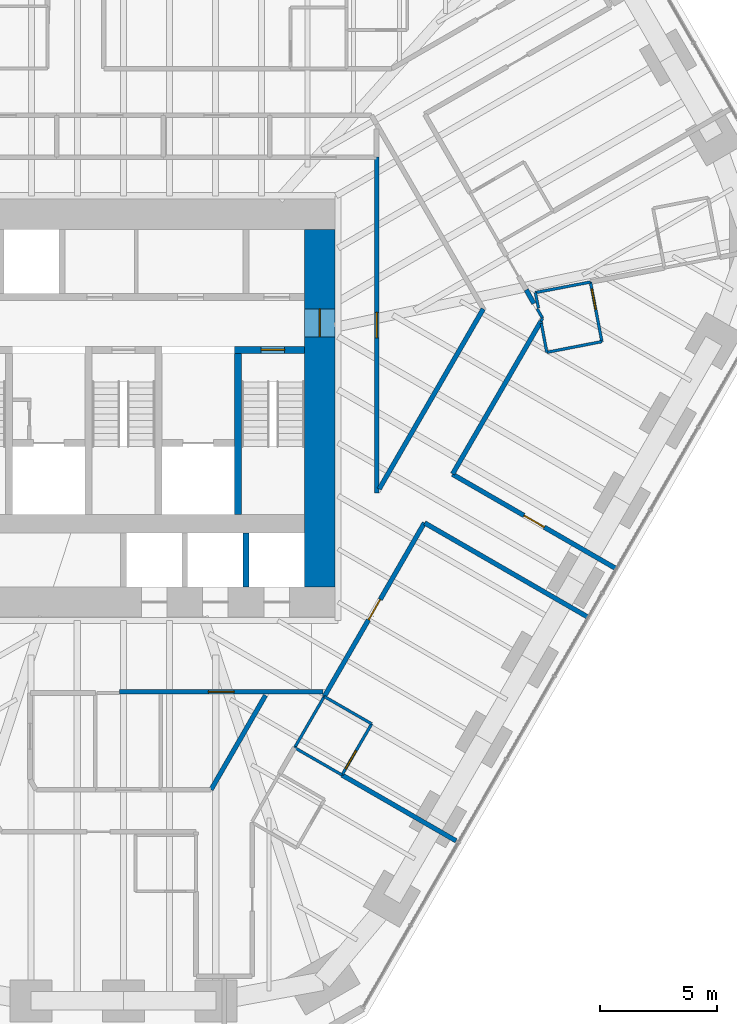
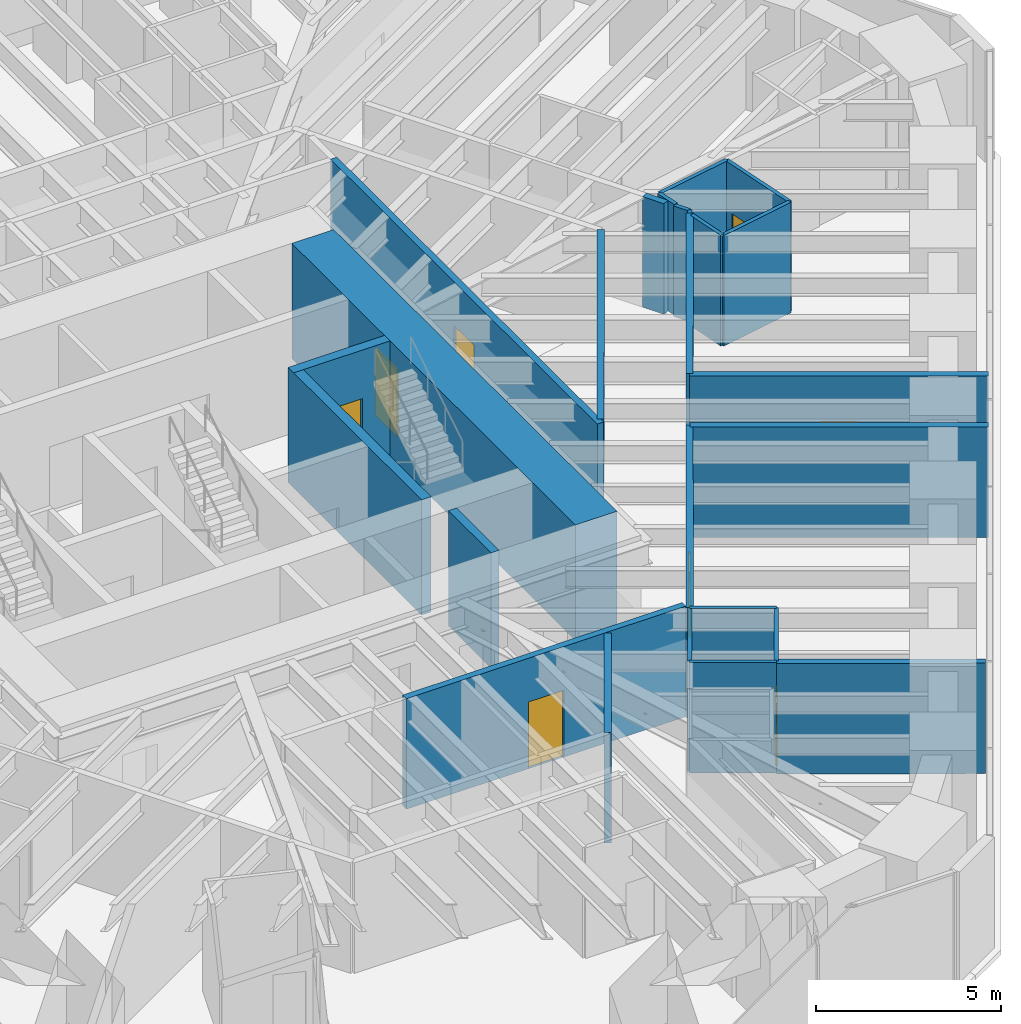
# One storey, part 13 of 17: 25 walls, 8 doors, 8 openings.
"""IFC4 building model written with IfcOpenShell, lengths in metres."""

from ifc_helpers import new_model, si_unit, direction, frame, frame_2d, origin, place, context, subcontext, project, spatial, rectangle, extrude, material, layer, layer_set, type_object, element, fill, save


model = new_model("IFC4")

# Units and contexts
model_context = context("Model", 3, precision=1e-05, world=origin(), true_north=direction((0.0, 1.0)))
body_context = subcontext(model_context, "Body", "Model", "MODEL_VIEW")
ifc_project = project(units=[si_unit("LENGTHUNIT", "METRE"), si_unit("AREAUNIT", "SQUARE_METRE"), si_unit("VOLUMEUNIT", "CUBIC_METRE"), si_unit("PLANEANGLEUNIT", "RADIAN"), si_unit("MASSUNIT", "GRAM", prefix="KILO")], contexts=[model_context])

# Site, building, storey
site_placement = place(None, origin())
site = spatial("IfcSite", under=ifc_project, at=site_placement, CompositionType="ELEMENT")
building_placement = place(site_placement, origin())
building = spatial("IfcBuilding", under=site, at=building_placement, Name="Sandreach Pilgrim Tower", CompositionType="ELEMENT")
storey_placement = place(building_placement, frame((0.0, 0.0, 138.60009765625)))
storey = spatial("IfcBuildingStorey", under=building, at=storey_placement, Name="L34", CompositionType="ELEMENT", Elevation=138.60009765625)

# Walls
ifc_material_1 = material(Name="Moisture-resistant gypsum board on steel studs", Category="steel")
ifc_layer_1 = layer(ifc_material_1, 0.1201171875)
ifc_layer_set_1 = layer_set([ifc_layer_1], Name="Bathroom partition 120")
wall_type_1 = type_object("IfcWallType", Name="Bathroom partition 120", PredefinedType="PARTITIONING", material=ifc_layer_set_1)
wall_1_placement = place(storey_placement, frame((7.330078125, -16.090087890625, 0.0), z_axis=(0.0, 0.0, 1.0), x_axis=(0.501632941931, 0.865080569409, 0.0)))
element("IfcWall", 1, at=wall_1_placement, inside=storey, type_object=wall_type_1, Name="Bathroom partition L34-101", PredefinedType="PARTITIONING", context=body_context, shape_type="SweptSolid", body=[
    extrude(rectangle(XDim=2.53173828125, YDim=0.1201171875, at=frame_2d((1.265869140625, 0.0))), origin(), (0.0, 0.0, 1.0), 3.639892578125),
])
wall_2_placement = place(storey_placement, frame((7.330078125, -16.090087890625, 0.0), z_axis=(0.0, 0.0, 1.0), x_axis=(0.866202934772, -0.499692381163, 0.0)))
element("IfcWall", 2, at=wall_2_placement, inside=storey, type_object=wall_type_1, Name="Bathroom partition L34-102", PredefinedType="PARTITIONING", context=body_context, shape_type="SweptSolid", body=[
    extrude(rectangle(XDim=2.3427734375, YDim=0.1201171875, at=frame_2d((1.17138671875, 0.0))), origin(), (0.0, 0.0, 1.0), 3.639892578125),
])

# Wall, opening, door
wall_3_placement = place(storey_placement, frame((9.360107421875, -17.260009765625, 0.0), z_axis=(0.0, 0.0, 1.0), x_axis=(0.501602618681, 0.865098152196, 0.0)))
wall_3 = element("IfcWall", 3, at=wall_3_placement, inside=storey, type_object=wall_type_1, Name="Bathroom partition L34-108", PredefinedType="PARTITIONING", context=body_context, shape_type="SweptSolid", body=[
    extrude(rectangle(XDim=2.531494140625, YDim=0.1201171875, at=frame_2d((1.265625, 0.0))), origin(), (0.0, 0.0, 1.0), 3.639892578125),
])
opening_1_placement = place(wall_3_placement, frame((0.300048828125, 0.0, 0.0)))
opening_1 = element("IfcOpeningElement", 4, at=opening_1_placement, cuts=wall_3, Name="Opening D09-08B", PredefinedType="OPENING", context=body_context, shape_type="SweptSolid", body=[
    extrude(rectangle(XDim=0.89990234375, YDim=2.030029296875, at=frame_2d((0.449951171875, 1.01513671875))), frame((0.0, 0.06005859375, 0.0), z_axis=(0.0, -1.0, 0.0), x_axis=(1.0, 0.0, 0.0)), (0.0, 0.0, 1.0), 0.1201171875),
])
ifc_material_2 = material(Name="Timber door, steel frame", Category="steel")
door_type_1 = type_object("IfcDoorType", Name="Bathroom door", OperationType="SINGLE_SWING_LEFT", PredefinedType="DOOR", material=ifc_material_2)
door_1_placement = place(opening_1_placement, origin())
door_1 = element("IfcDoor", 5, at=door_1_placement, inside=storey, type_object=door_type_1, Name="Door 3408B", OperationType="SINGLE_SWING_LEFT", OverallHeight=2.030029296875, OverallWidth=0.89990234375, PredefinedType="DOOR", context=body_context, shape_type="SweptSolid", body=[
    extrude(rectangle(XDim=0.89990234375, YDim=2.030029296875, at=frame_2d((0.449951171875, 1.01513671875))), frame((0.0, 0.02490234375, 0.0), z_axis=(0.0, -1.0, 0.0), x_axis=(1.0, 0.0, 0.0)), (0.0, 0.0, 1.0), 0.050048828125),
])
fill(opening_1, door_1)

# Walls
wall_4_placement = place(storey_placement, frame((10.6298828125, -15.070068359375, 0.0), z_axis=(0.0, 0.0, 1.0), x_axis=(-0.866345142729, 0.499445786517, 0.0)))
element("IfcWall", 6, at=wall_4_placement, inside=storey, type_object=wall_type_1, Name="Bathroom partition L34-117", PredefinedType="PARTITIONING", context=body_context, shape_type="SweptSolid", body=[
    extrude(rectangle(XDim=2.343017578125, YDim=0.1201171875, at=frame_2d((1.17138671875, 0.0))), origin(), (0.0, 0.0, 1.0), 3.639892578125),
])
wall_5_placement = place(storey_placement, frame((17.639892578125, 3.39990234375, 0.0), z_axis=(0.0, 0.0, 1.0), x_axis=(0.982288725898, 0.187373581313, 0.0)))
element("IfcWall", 7, at=wall_5_placement, inside=storey, type_object=wall_type_1, Name="Bathroom partition L34-135", PredefinedType="PARTITIONING", context=body_context, shape_type="SweptSolid", body=[
    extrude(rectangle(XDim=2.402587890625, YDim=0.1201171875, at=frame_2d((1.201171875, 0.0))), origin(), (0.0, 0.0, 1.0), 3.639892578125),
])
wall_6_placement = place(storey_placement, frame((17.719970703125, 2.699951171875, 0.0), z_axis=(0.0, 0.0, 1.0), x_axis=(0.498530782172, -0.866871997025, 0.0)))
element("IfcWall", 8, at=wall_6_placement, inside=storey, type_object=wall_type_1, Name="Bathroom partition L34-136", PredefinedType="PARTITIONING", context=body_context, shape_type="SweptSolid", body=[
    extrude(rectangle(XDim=0.46142578125, YDim=0.1201171875, at=frame_2d((0.230712890625, 0.0))), origin(), (0.0, 0.0, 1.0), 3.639892578125),
])
wall_7_placement = place(storey_placement, frame((17.773681640625, 2.7314453125, 0.0), z_axis=(0.0, 0.0, 1.0), x_axis=(-0.196253874553, 0.980553117747, 0.0)))
element("IfcWall", 9, at=wall_7_placement, inside=storey, type_object=wall_type_1, Name="Bathroom partition L34-137", PredefinedType="PARTITIONING", context=body_context, shape_type="SweptSolid", body=[
    extrude(rectangle(XDim=0.681640625, YDim=0.1201171875, at=frame_2d((0.3408203125, 0.0))), origin(), (0.0, 0.0, 1.0), 3.639892578125),
])
wall_8_placement = place(storey_placement, frame((17.8798828125, 2.169921875, 0.0), z_axis=(0.0, 0.0, 1.0), x_axis=(0.474099823035, 0.880471099922, 0.0)))
element("IfcWall", 10, at=wall_8_placement, inside=storey, type_object=wall_type_1, Name="Bathroom partition L34-138", PredefinedType="PARTITIONING", context=body_context, shape_type="SweptSolid", body=[
    extrude(rectangle(XDim=0.147705078125, YDim=0.1201171875, at=frame_2d((0.07373046875, 0.0))), origin(), (0.0, 0.0, 1.0), 3.639892578125),
])
wall_9_placement = place(storey_placement, frame((17.896728515625, 2.08154296875, 0.0), z_axis=(0.0, 0.0, 1.0), x_axis=(0.184580266957, -0.982817442382, 0.0)))
element("IfcWall", 11, at=wall_9_placement, inside=storey, type_object=wall_type_1, Name="Bathroom partition L34-139", PredefinedType="PARTITIONING", context=body_context, shape_type="SweptSolid", body=[
    extrude(rectangle(XDim=1.26318359375, YDim=0.1201171875, at=frame_2d((0.631591796875, 0.0))), origin(), (0.0, 0.0, 1.0), 3.639892578125),
])
wall_10_placement = place(storey_placement, frame((18.1298828125, 0.840087890625, 0.0), z_axis=(0.0, 0.0, 1.0), x_axis=(0.981533392326, 0.191290877329, 0.0)))
element("IfcWall", 12, at=wall_10_placement, inside=storey, type_object=wall_type_1, Name="Bathroom partition L34-140", PredefinedType="PARTITIONING", context=body_context, shape_type="SweptSolid", body=[
    extrude(rectangle(XDim=2.404541015625, YDim=0.1201171875, at=frame_2d((1.2021484375, 0.0))), origin(), (0.0, 0.0, 1.0), 3.639892578125),
])

# Wall, opening, door
wall_11_placement = place(storey_placement, frame((20.489990234375, 1.300048828125, 0.0), z_axis=(0.0, 0.0, 1.0), x_axis=(-0.188697442844, 0.982035271802, 0.0)))
wall_11 = element("IfcWall", 13, at=wall_11_placement, inside=storey, type_object=wall_type_1, Name="Bathroom partition L34-147", PredefinedType="PARTITIONING", context=body_context, shape_type="SweptSolid", body=[
    extrude(rectangle(XDim=2.5966796875, YDim=0.1201171875, at=frame_2d((1.29833984375, 0.0))), origin(), (0.0, 0.0, 1.0), 3.639892578125),
])
opening_2_placement = place(wall_11_placement, frame((1.396728515625, 0.0, 0.0)))
opening_2 = element("IfcOpeningElement", 14, at=opening_2_placement, cuts=wall_11, Name="Opening D09-07B", PredefinedType="OPENING", context=body_context, shape_type="SweptSolid", body=[
    extrude(rectangle(XDim=0.89990234375, YDim=2.030029296875, at=frame_2d((0.449951171875, 1.01513671875))), frame((0.0, 0.06005859375, 0.0), z_axis=(0.0, -1.0, 0.0), x_axis=(1.0, 0.0, 0.0)), (0.0, 0.0, 1.0), 0.1201171875),
])
door_2_placement = place(opening_2_placement, origin())
door_2 = element("IfcDoor", 15, at=door_2_placement, inside=storey, type_object=door_type_1, Name="Door 3407B", OperationType="SINGLE_SWING_RIGHT", OverallHeight=2.030029296875, OverallWidth=0.89990234375, PredefinedType="DOOR", context=body_context, shape_type="SweptSolid", body=[
    extrude(rectangle(XDim=0.89990234375, YDim=2.030029296875, at=frame_2d((0.449951171875, 1.01513671875))), frame((0.0, 0.02490234375, 0.0), z_axis=(0.0, -1.0, 0.0), x_axis=(1.0, 0.0, 0.0)), (0.0, 0.0, 1.0), 0.050048828125),
])
fill(opening_2, door_2)

# Wall
ifc_material_3 = material(Name="Concrete 10000 psi", Category="concrete")
ifc_layer_2 = layer(ifc_material_3, 0.300048828125)
ifc_layer_set_2 = layer_set([ifc_layer_2], Name="Core inner wall 300")
wall_type_2 = type_object("IfcWallType", Name="Core inner wall 300", PredefinedType="SHEAR", material=ifc_layer_set_2)
wall_12_placement = place(storey_placement, frame((4.89990234375, -6.10009765625, 0.0), z_axis=(0.0, 0.0, 1.0), x_axis=(0.0, 1.0, 0.0)))
element("IfcWall", 16, at=wall_12_placement, inside=storey, type_object=wall_type_2, Name="Core wall I3 L34", PredefinedType="SHEAR", context=body_context, shape_type="SweptSolid", body=[
    extrude(rectangle(XDim=7.2001953125, YDim=0.300048828125, at=frame_2d((3.60009765625, 0.0))), origin(), (0.0, 0.0, 1.0), 3.7998046875),
])

# Wall, opening, door
wall_13_placement = place(storey_placement, frame((4.75, 0.949951171875, 0.0), z_axis=(0.0, 0.0, 1.0), x_axis=(1.0, 0.0, 0.0)))
wall_13 = element("IfcWall", 17, at=wall_13_placement, inside=storey, type_object=wall_type_2, Name="Core wall SN2 L34", PredefinedType="SHEAR", context=body_context, shape_type="SweptSolid", body=[
    extrude(rectangle(XDim=3.0, YDim=0.300048828125, at=frame_2d((1.5, 0.0))), origin(), (0.0, 0.0, 1.0), 3.7998046875),
])
opening_3_placement = place(wall_13_placement, frame((1.14990234375, 0.0, 0.0)))
opening_3 = element("IfcOpeningElement", 18, at=opening_3_placement, cuts=wall_13, Name="Opening D10S-ST2", PredefinedType="OPENING", context=body_context, shape_type="SweptSolid", body=[
    extrude(rectangle(XDim=1.0, YDim=2.199951171875, at=frame_2d((0.5, 1.10009765625))), frame((0.0, 0.14990234375, 0.0), z_axis=(0.0, -1.0, 0.0), x_axis=(1.0, 0.0, 0.0)), (0.0, 0.0, 1.0), 0.300048828125),
])
ifc_material_4 = material(Name="Steel door and frame", Category="steel")
door_type_2 = type_object("IfcDoorType", Name="Stair door", OperationType="SINGLE_SWING_LEFT", PredefinedType="DOOR", material=ifc_material_4)
door_3_placement = place(opening_3_placement, origin())
door_3 = element("IfcDoor", 19, at=door_3_placement, inside=storey, type_object=door_type_2, Name="Stair door ST2 L34", OperationType="SINGLE_SWING_RIGHT", OverallHeight=2.199951171875, OverallWidth=1.0, PredefinedType="DOOR", context=body_context, shape_type="SweptSolid", body=[
    extrude(rectangle(XDim=1.0, YDim=2.199951171875, at=frame_2d((0.5, 1.10009765625))), frame((0.0, 0.02490234375, 0.0), z_axis=(0.0, -1.0, 0.0), x_axis=(1.0, 0.0, 0.0)), (0.0, 0.0, 1.0), 0.050048828125),
])
fill(opening_3, door_3)

ifc_material_5 = material(Name="Concrete 10000 psi", Category="concrete")
ifc_layer_3 = layer(ifc_material_5, 1.300048828125)
ifc_layer_set_3 = layer_set([ifc_layer_3], Name="Core wall 1300")
wall_type_3 = type_object("IfcWallType", Name="Core wall 1300", PredefinedType="SHEAR", material=ifc_layer_set_3)
wall_14_placement = place(storey_placement, frame((8.39990234375, -9.199951171875, 0.0), z_axis=(0.0, 0.0, 1.0), x_axis=(0.0, 1.0, 0.0)))
wall_14 = element("IfcWall", 20, at=wall_14_placement, inside=storey, type_object=wall_type_3, Name="Core wall E L34", PredefinedType="SHEAR", context=body_context, shape_type="SweptSolid", body=[
    extrude(rectangle(XDim=15.300048828125, YDim=1.300048828125, at=frame_2d((7.64990234375, 0.0))), origin(), (0.0, 0.0, 1.0), 3.7998046875),
])
opening_4_placement = place(wall_14_placement, frame((10.699951171875, 0.0, 0.0)))
opening_4 = element("IfcOpeningElement", 21, at=opening_4_placement, cuts=wall_14, Name="Opening D12F-E", PredefinedType="OPENING", context=body_context, shape_type="SweptSolid", body=[
    extrude(rectangle(XDim=1.199951171875, YDim=2.199951171875, at=frame_2d((0.60009765625, 1.10009765625))), frame((0.0, 0.64990234375, 0.0), z_axis=(0.0, -1.0, 0.0), x_axis=(1.0, 0.0, 0.0)), (0.0, 0.0, 1.0), 1.300048828125),
])
ifc_material_6 = material(Name="Steel door and frame", Category="steel")
door_type_3 = type_object("IfcDoorType", Name="Fire lobby door", OperationType="SINGLE_SWING_LEFT", PredefinedType="DOOR", material=ifc_material_6)
door_4_placement = place(opening_4_placement, origin())
door_4 = element("IfcDoor", 22, at=door_4_placement, inside=storey, type_object=door_type_3, Name="Fire service lobby door E L34", OperationType="SINGLE_SWING_RIGHT", OverallHeight=2.199951171875, OverallWidth=1.199951171875, PredefinedType="DOOR", context=body_context, shape_type="SweptSolid", body=[
    extrude(rectangle(XDim=1.199951171875, YDim=2.199951171875, at=frame_2d((0.60009765625, 1.10009765625))), frame((0.0, 0.02490234375, 0.0), z_axis=(0.0, -1.0, 0.0), x_axis=(1.0, 0.0, 0.0)), (0.0, 0.0, 1.0), 0.050048828125),
])
fill(opening_4, door_4)

# Wall
ifc_material_7 = material(Name="Gypsum board on steel studs, two layers each side", Category="steel")
ifc_layer_4 = layer(ifc_material_7, 0.199951171875)
ifc_layer_set_4 = layer_set([ifc_layer_4], Name="Corridor wall 200")
wall_type_4 = type_object("IfcWallType", Name="Corridor wall 200", PredefinedType="PARTITIONING", material=ifc_layer_set_4)
wall_15_placement = place(storey_placement, frame((6.08251953125, -13.849609375, 0.0), z_axis=(0.0, 0.0, 1.0), x_axis=(-0.499977643516, -0.866038310922, 0.0)))
element("IfcWall", 23, at=wall_15_placement, inside=storey, type_object=wall_type_4, Name="Corridor wall L34-094", PredefinedType="PARTITIONING", context=body_context, shape_type="SweptSolid", body=[
    extrude(rectangle(XDim=4.665283203125, YDim=0.199951171875, at=frame_2d((2.33251953125, 0.0))), origin(), (0.0, 0.0, 1.0), 3.639892578125),
])

# Wall, opening, door
wall_16_placement = place(storey_placement, frame((8.545166015625, -13.699951171875, 0.0), z_axis=(0.0, 0.0, 1.0), x_axis=(-1.0, 0.0, 0.0)))
wall_16 = element("IfcWall", 24, at=wall_16_placement, inside=storey, type_object=wall_type_4, Name="Corridor wall L34-104", PredefinedType="PARTITIONING", context=body_context, shape_type="SweptSolid", body=[
    extrude(rectangle(XDim=8.715087890625, YDim=0.199951171875, at=frame_2d((4.357421875, 0.0))), origin(), (0.0, 0.0, 1.0), 3.639892578125),
])
opening_5_placement = place(wall_16_placement, frame((3.8076171875, 0.0, 0.0)))
opening_5 = element("IfcOpeningElement", 25, at=opening_5_placement, cuts=wall_16, Name="Opening D11H-S4", PredefinedType="OPENING", context=body_context, shape_type="SweptSolid", body=[
    extrude(rectangle(XDim=1.10009765625, YDim=2.199951171875, at=frame_2d((0.550048828125, 1.10009765625))), frame((0.0, 0.10009765625, 0.0), z_axis=(0.0, -1.0, 0.0), x_axis=(1.0, 0.0, 0.0)), (0.0, 0.0, 1.0), 0.199951171875),
])
ifc_material_8 = material(Name="Steel door and frame", Category="steel")
door_type_4 = type_object("IfcDoorType", Name="Back of house door", OperationType="SINGLE_SWING_LEFT", PredefinedType="DOOR", material=ifc_material_8)
door_5_placement = place(opening_5_placement, origin())
door_5 = element("IfcDoor", 26, at=door_5_placement, inside=storey, type_object=door_type_4, Name="Door 34S4", OperationType="SINGLE_SWING_LEFT", OverallHeight=2.199951171875, OverallWidth=1.10009765625, PredefinedType="DOOR", context=body_context, shape_type="SweptSolid", body=[
    extrude(rectangle(XDim=1.10009765625, YDim=2.199951171875, at=frame_2d((0.550048828125, 1.10009765625))), frame((0.0, 0.02490234375, 0.0), z_axis=(0.0, -1.0, 0.0), x_axis=(1.0, 0.0, 0.0)), (0.0, 0.0, 1.0), 0.050048828125),
])
fill(opening_5, door_5)

wall_17_placement = place(storey_placement, frame((8.60009765625, -13.89990234375, 0.0), z_axis=(0.0, 0.0, 1.0), x_axis=(0.499505868716, 0.866310502717, 0.0)))
wall_17 = element("IfcWall", 27, at=wall_17_placement, inside=storey, type_object=wall_type_4, Name="Corridor wall L34-105", PredefinedType="PARTITIONING", context=body_context, shape_type="SweptSolid", body=[
    extrude(rectangle(XDim=8.588134765625, YDim=0.199951171875, at=frame_2d((4.2939453125, 0.0))), origin(), (0.0, 0.0, 1.0), 3.639892578125),
])
opening_6_placement = place(wall_17_placement, frame((3.794189453125, 0.0, 0.0)))
opening_6 = element("IfcOpeningElement", 28, at=opening_6_placement, cuts=wall_17, Name="Opening D10-08", PredefinedType="OPENING", context=body_context, shape_type="SweptSolid", body=[
    extrude(rectangle(XDim=1.0, YDim=2.1298828125, at=frame_2d((0.5, 1.06494140625))), frame((0.0, 0.10009765625, 0.0), z_axis=(0.0, -1.0, 0.0), x_axis=(1.0, 0.0, 0.0)), (0.0, 0.0, 1.0), 0.199951171875),
])
ifc_material_9 = material(Name="Steel door and frame", Category="steel")
door_type_5 = type_object("IfcDoorType", Name="Guest room entry door", OperationType="SINGLE_SWING_LEFT", PredefinedType="DOOR", material=ifc_material_9)
door_6_placement = place(opening_6_placement, origin())
door_6 = element("IfcDoor", 29, at=door_6_placement, inside=storey, type_object=door_type_5, Name="Door 3408", OperationType="SINGLE_SWING_LEFT", OverallHeight=2.1298828125, OverallWidth=1.0, PredefinedType="DOOR", context=body_context, shape_type="SweptSolid", body=[
    extrude(rectangle(XDim=1.0, YDim=2.1298828125, at=frame_2d((0.5, 1.06494140625))), frame((0.0, 0.02490234375, 0.0), z_axis=(0.0, -1.0, 0.0), x_axis=(1.0, 0.0, 0.0)), (0.0, 0.0, 1.0), 0.050048828125),
])
fill(opening_6, door_6)

wall_18_placement = place(storey_placement, frame((10.85009765625, -5.18994140625, 0.0), z_axis=(0.0, 0.0, 1.0), x_axis=(0.0, 1.0, 0.0)))
wall_18 = element("IfcWall", 30, at=wall_18_placement, inside=storey, type_object=wall_type_4, Name="Corridor wall L34-121", PredefinedType="PARTITIONING", context=body_context, shape_type="SweptSolid", body=[
    extrude(rectangle(XDim=14.389892578125, YDim=0.199951171875, at=frame_2d((7.19482421875, 0.0))), origin(), (0.0, 0.0, 1.0), 3.639892578125),
])
opening_7_placement = place(wall_18_placement, frame((6.64501953125, 0.0, 0.0)))
opening_7 = element("IfcOpeningElement", 31, at=opening_7_placement, cuts=wall_18, Name="Opening D11H-M07", PredefinedType="OPENING", context=body_context, shape_type="SweptSolid", body=[
    extrude(rectangle(XDim=1.10009765625, YDim=2.199951171875, at=frame_2d((0.550048828125, 1.10009765625))), frame((0.0, 0.10009765625, 0.0), z_axis=(0.0, -1.0, 0.0), x_axis=(1.0, 0.0, 0.0)), (0.0, 0.0, 1.0), 0.199951171875),
])
door_7_placement = place(opening_7_placement, origin())
door_7 = element("IfcDoor", 32, at=door_7_placement, inside=storey, type_object=door_type_4, Name="Door 34M07", OperationType="SINGLE_SWING_LEFT", OverallHeight=2.199951171875, OverallWidth=1.10009765625, PredefinedType="DOOR", context=body_context, shape_type="SweptSolid", body=[
    extrude(rectangle(XDim=1.10009765625, YDim=2.199951171875, at=frame_2d((0.550048828125, 1.10009765625))), frame((0.0, 0.02490234375, 0.0), z_axis=(0.0, -1.0, 0.0), x_axis=(1.0, 0.0, 0.0)), (0.0, 0.0, 1.0), 0.050048828125),
])
fill(opening_7, door_7)

# Walls
wall_19_placement = place(storey_placement, frame((12.903076171875, -6.467529296875, 0.0), z_axis=(0.0, 0.0, 1.0), x_axis=(0.866179534239, -0.499732943147, 0.0)))
element("IfcWall", 33, at=wall_19_placement, inside=storey, type_object=wall_type_4, Name="Corridor wall L34-126", PredefinedType="PARTITIONING", context=body_context, shape_type="SweptSolid", body=[
    extrude(rectangle(XDim=8.0595703125, YDim=0.199951171875, at=frame_2d((4.02978515625, 0.0))), origin(), (0.0, 0.0, 1.0), 3.639892578125),
])
wall_20_placement = place(storey_placement, frame((14.097412109375, -4.366943359375, 0.0), z_axis=(0.0, 0.0, 1.0), x_axis=(0.500859137679, 0.865528811885, 0.0)))
element("IfcWall", 34, at=wall_20_placement, inside=storey, type_object=wall_type_4, Name="Corridor wall L34-128", PredefinedType="PARTITIONING", context=body_context, shape_type="SweptSolid", body=[
    extrude(rectangle(XDim=7.552490234375, YDim=0.199951171875, at=frame_2d((3.7763671875, 0.0))), origin(), (0.0, 0.0, 1.0), 3.639892578125),
])
wall_21_placement = place(storey_placement, frame((15.409912109375, 2.699951171875, 0.0), z_axis=(0.0, 0.0, 1.0), x_axis=(-0.500372062762, -0.865810486658, 0.0)))
element("IfcWall", 35, at=wall_21_placement, inside=storey, type_object=wall_type_4, Name="Corridor wall L34-130", PredefinedType="PARTITIONING", context=body_context, shape_type="SweptSolid", body=[
    extrude(rectangle(XDim=8.912841796875, YDim=0.199951171875, at=frame_2d((4.45654296875, 0.0))), origin(), (0.0, 0.0, 1.0), 3.639892578125),
])
wall_22_placement = place(storey_placement, frame((17.25, 3.52001953125, 0.0), z_axis=(0.0, 0.0, 1.0), x_axis=(0.485489114803, -0.874242711956, 0.0)))
element("IfcWall", 36, at=wall_22_placement, inside=storey, type_object=wall_type_4, Name="Corridor wall L34-134", PredefinedType="PARTITIONING", context=body_context, shape_type="SweptSolid", body=[
    extrude(rectangle(XDim=0.673828125, YDim=0.199951171875, at=frame_2d((0.3369140625, 0.0))), origin(), (0.0, 0.0, 1.0), 3.639892578125),
])

# Wall, opening, door
wall_23_placement = place(storey_placement, frame((21.083984375, -8.4150390625, 0.0), z_axis=(0.0, 0.0, 1.0), x_axis=(-0.866174008169, 0.499742521277, 0.0)))
wall_23 = element("IfcWall", 37, at=wall_23_placement, inside=storey, type_object=wall_type_4, Name="Corridor wall L34-148", PredefinedType="PARTITIONING", context=body_context, shape_type="SweptSolid", body=[
    extrude(rectangle(XDim=8.074462890625, YDim=0.199951171875, at=frame_2d((4.037109375, 0.0))), origin(), (0.0, 0.0, 1.0), 3.639892578125),
])
opening_8_placement = place(wall_23_placement, frame((3.537353515625, 0.0, 0.0)))
opening_8 = element("IfcOpeningElement", 38, at=opening_8_placement, cuts=wall_23, Name="Opening D10-07", PredefinedType="OPENING", context=body_context, shape_type="SweptSolid", body=[
    extrude(rectangle(XDim=1.0, YDim=2.1298828125, at=frame_2d((0.5, 1.06494140625))), frame((0.0, 0.10009765625, 0.0), z_axis=(0.0, -1.0, 0.0), x_axis=(1.0, 0.0, 0.0)), (0.0, 0.0, 1.0), 0.199951171875),
])
door_8_placement = place(opening_8_placement, origin())
door_8 = element("IfcDoor", 39, at=door_8_placement, inside=storey, type_object=door_type_5, Name="Door 3407", OperationType="SINGLE_SWING_LEFT", OverallHeight=2.1298828125, OverallWidth=1.0, PredefinedType="DOOR", context=body_context, shape_type="SweptSolid", body=[
    extrude(rectangle(XDim=1.0, YDim=2.1298828125, at=frame_2d((0.5, 1.06494140625))), frame((0.0, 0.02490234375, 0.0), z_axis=(0.0, -1.0, 0.0), x_axis=(1.0, 0.0, 0.0)), (0.0, 0.0, 1.0), 0.050048828125),
])
fill(opening_8, door_8)

# Walls
ifc_material_10 = material(Name="Double steel stud acoustic wall, gypsum board", Category="steel")
ifc_layer_5 = layer(ifc_material_10, 0.199951171875)
ifc_layer_set_5 = layer_set([ifc_layer_5], Name="Party wall 200")
wall_type_5 = type_object("IfcWallType", Name="Party wall 200", PredefinedType="PARTITIONING", material=ifc_layer_set_5)
wall_24_placement = place(storey_placement, frame((9.359375, -17.2607421875, 0.0), z_axis=(0.0, 0.0, 1.0), x_axis=(0.866179822479, -0.499732443544, 0.0)))
element("IfcWall", 40, at=wall_24_placement, inside=storey, type_object=wall_type_5, Name="Party wall L34-107", PredefinedType="PARTITIONING", context=body_context, shape_type="SweptSolid", body=[
    extrude(rectangle(XDim=5.6416015625, YDim=0.199951171875, at=frame_2d((2.82080078125, 0.0))), origin(), (0.0, 0.0, 1.0), 3.639892578125),
])
ifc_material_11 = material(Name="Gypsum shaft wall on steel studs, two layers of shaft liner board", Category="steel")
ifc_layer_6 = layer(ifc_material_11, 0.25)
ifc_layer_set_6 = layer_set([ifc_layer_6], Name="Shaft partition 250")
wall_type_6 = type_object("IfcWallType", Name="Shaft partition 250", PredefinedType="PARTITIONING", material=ifc_layer_set_6)
wall_25_placement = place(storey_placement, frame((5.25, -9.199951171875, 0.0), z_axis=(0.0, 0.0, 1.0), x_axis=(0.0, 1.0, 0.0)))
element("IfcWall", 41, at=wall_25_placement, inside=storey, type_object=wall_type_6, Name="Shaft partition XS4 L34", PredefinedType="PARTITIONING", context=body_context, shape_type="SweptSolid", body=[
    extrude(rectangle(XDim=2.300048828125, YDim=0.25, at=frame_2d((1.14990234375, 0.0))), origin(), (0.0, 0.0, 1.0), 3.7998046875),
])

save(model, "model.ifc")
